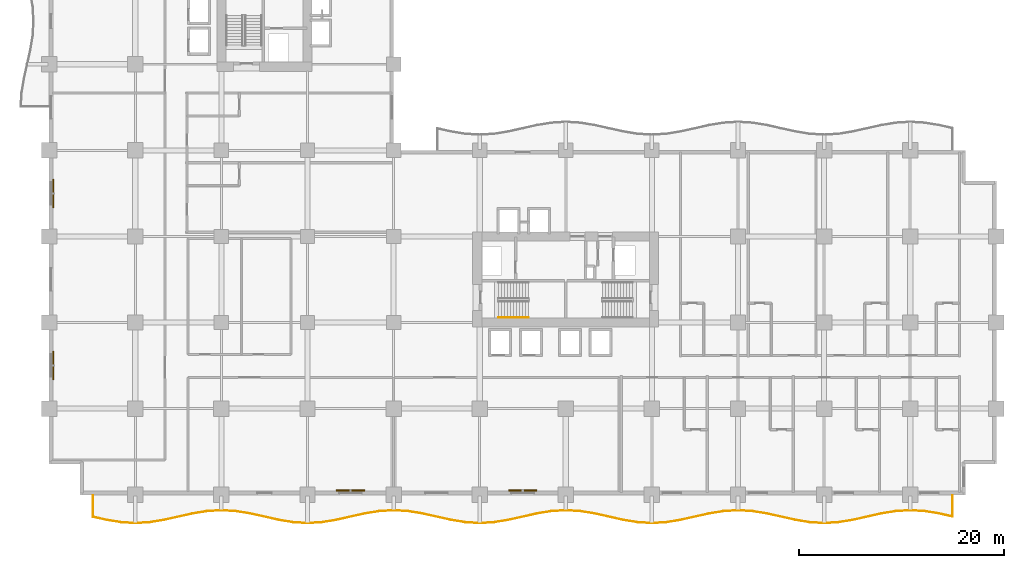
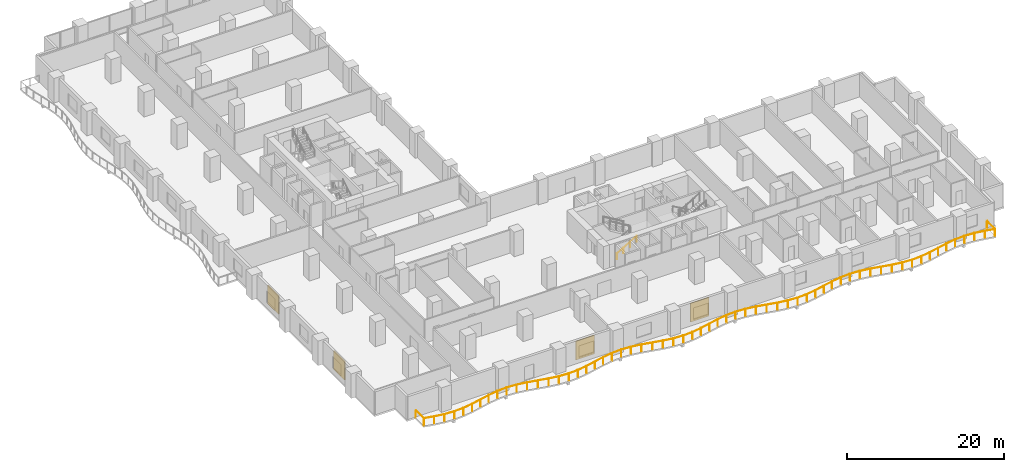
# One storey, part 18 of 21: 4 shading devices, 2 railings.
"""IFC4 building model written with IfcOpenShell, lengths in metres."""

from ifc_helpers import new_model, si_unit, direction, frame, origin, origin_2d, place, context, subcontext, project, spatial, rectangle, circle, extrude, material, layer, layer_set, type_object, element, save


model = new_model("IFC4")

# Units and contexts
model_context = context("Model", 3, precision=1e-05, world=origin(), true_north=direction((0.0, 1.0)))
body_context = subcontext(model_context, "Body", "Model", "MODEL_VIEW")
ifc_project = project(units=[si_unit("LENGTHUNIT", "METRE"), si_unit("AREAUNIT", "SQUARE_METRE"), si_unit("VOLUMEUNIT", "CUBIC_METRE"), si_unit("PLANEANGLEUNIT", "RADIAN"), si_unit("MASSUNIT", "GRAM", prefix="KILO")], contexts=[model_context])

# Site, building, storey
site_placement = place(None, origin())
site = spatial("IfcSite", under=ifc_project, at=site_placement, CompositionType="ELEMENT")
building_placement = place(site_placement, origin())
building = spatial("IfcBuilding", under=site, at=building_placement, Name="Koriwani Terraces Tower", CompositionType="ELEMENT")
storey_placement = place(building_placement, frame((0.0, 0.0, 77.60009765625)))
storey = spatial("IfcBuildingStorey", under=building, at=storey_placement, Name="L18", CompositionType="ELEMENT", Elevation=77.60009765625)

# Railings
ifc_material_1 = material(Name="Steel ASTM A572 Grade 50", Category="steel")
railing_type_1 = type_object("IfcRailingType", Name="GUARD_BALUSTRADE_1150", PredefinedType="BALUSTRADE", material=ifc_material_1)
railing_1_placement = place(storey_placement, frame((4.280029296875, -0.080078125, 0.0)))
element("IfcRailing", 1, at=railing_1_placement, inside=storey, type_object=railing_type_1, Name="L18 Balcony Perimeter Safety Balustrade (S)", PredefinedType="BALUSTRADE", context=body_context, shape_type="SweptSolid", body=[
    extrude(circle(Radius=0.02392578125, at=origin_2d()), frame((0.0, 0.0, 1.1259765625), z_axis=(0.0, -1.0, 0.0), x_axis=(1.0, 0.0, 0.0)), (0.0, 0.0, 1.0), 2.080810546875),
    extrude(circle(Radius=0.02392578125, at=origin_2d()), frame((0.0, -2.080810546875, 1.1259765625), z_axis=(0.97597243809, -0.217894011137, 0.0), x_axis=(0.217894011137, 0.97597243809, 0.0)), (0.0, 0.0, 1.0), 1.3681640625),
    extrude(circle(Radius=0.02392578125, at=origin_2d()), frame((1.335205078125, -2.37890625, 1.1259765625), z_axis=(0.986903124066, -0.16131405304, 0.0), x_axis=(0.16131405304, 0.986903124066, 0.0)), (0.0, 0.0, 1.0), 1.412109375),
    extrude(circle(Radius=0.02392578125, at=origin_2d()), frame((2.728759765625, -2.606689453125, 1.1259765625), z_axis=(0.998214050326, -0.059738678687, 0.0), x_axis=(0.059738678687, 0.998214050326, 0.0)), (0.0, 0.0, 1.0), 1.3935546875),
    extrude(circle(Radius=0.02392578125, at=origin_2d()), frame((4.119873046875, -2.68994140625, 1.1259765625), z_axis=(0.998214050326, 0.059738678687, 0.0), x_axis=(-0.059738678687, 0.998214050326, 0.0)), (0.0, 0.0, 1.0), 1.3935546875),
    extrude(circle(Radius=0.02392578125, at=origin_2d()), frame((5.510986328125, -2.606689453125, 1.1259765625), z_axis=(0.986907622111, 0.161286532042, 0.0), x_axis=(-0.161286532042, 0.986907622111, 0.0)), (0.0, 0.0, 1.0), 1.412353515625),
    extrude(circle(Radius=0.02392578125, at=origin_2d()), frame((6.90478515625, -2.37890625, 1.1259765625), z_axis=(0.975982393728, 0.217849413893, 0.0), x_axis=(-0.217849413893, 0.975982393728, 0.0)), (0.0, 0.0, 1.0), 2.868896484375),
    extrude(circle(Radius=0.02392578125, at=origin_2d()), frame((9.704833984375, -1.75390625, 1.1259765625), z_axis=(0.986916749742, 0.161230670401, 0.0), x_axis=(-0.161230670401, 0.986916749742, 0.0)), (0.0, 0.0, 1.0), 1.4248046875),
    extrude(circle(Radius=0.02392578125, at=origin_2d()), frame((11.111083984375, -1.524169921875, 1.1259765625), z_axis=(0.998217851573, 0.059675127152, 0.0), x_axis=(-0.059675127152, 0.998217851573, 0.0)), (0.0, 0.0, 1.0), 1.411376953125),
    extrude(circle(Radius=0.02392578125, at=origin_2d()), frame((12.52001953125, -1.43994140625, 1.1259765625), z_axis=(0.998217235442, -0.059685432622, 0.0), x_axis=(0.059685432622, 0.998217235442, 0.0)), (0.0, 0.0, 1.0), 1.4111328125),
    extrude(circle(Radius=0.02392578125, at=origin_2d()), frame((13.9287109375, -1.524169921875, 1.1259765625), z_axis=(0.986921202645, -0.161203411159, 0.0), x_axis=(0.161203411159, 0.986921202645, 0.0)), (0.0, 0.0, 1.0), 1.425048828125),
    extrude(circle(Radius=0.02392578125, at=origin_2d()), frame((15.335205078125, -1.75390625, 1.1259765625), z_axis=(0.975982393728, -0.217849413893, 0.0), x_axis=(0.217849413893, 0.975982393728, 0.0)), (0.0, 0.0, 1.0), 2.868896484375),
    extrude(circle(Radius=0.02392578125, at=origin_2d()), frame((18.13525390625, -2.37890625, 1.1259765625), z_axis=(0.986903124066, -0.16131405304, 0.0), x_axis=(0.16131405304, 0.986903124066, 0.0)), (0.0, 0.0, 1.0), 1.412109375),
    extrude(circle(Radius=0.02392578125, at=origin_2d()), frame((19.52880859375, -2.606689453125, 1.1259765625), z_axis=(0.998214050326, -0.059738678687, 0.0), x_axis=(0.059738678687, 0.998214050326, 0.0)), (0.0, 0.0, 1.0), 1.3935546875),
    extrude(circle(Radius=0.02392578125, at=origin_2d()), frame((20.919921875, -2.68994140625, 1.1259765625), z_axis=(0.998214050326, 0.059738678687, 0.0), x_axis=(-0.059738678687, 0.998214050326, 0.0)), (0.0, 0.0, 1.0), 1.3935546875),
    extrude(circle(Radius=0.02392578125, at=origin_2d()), frame((22.31103515625, -2.606689453125, 1.1259765625), z_axis=(0.986907622111, 0.161286532042, 0.0), x_axis=(-0.161286532042, 0.986907622111, 0.0)), (0.0, 0.0, 1.0), 1.412353515625),
    extrude(circle(Radius=0.02392578125, at=origin_2d()), frame((23.704833984375, -2.37890625, 1.1259765625), z_axis=(0.975982393728, 0.217849413893, 0.0), x_axis=(-0.217849413893, 0.975982393728, 0.0)), (0.0, 0.0, 1.0), 2.868896484375),
    extrude(circle(Radius=0.02392578125, at=origin_2d()), frame((26.5048828125, -1.75390625, 1.1259765625), z_axis=(0.986916749742, 0.161230670401, 0.0), x_axis=(-0.161230670401, 0.986916749742, 0.0)), (0.0, 0.0, 1.0), 1.4248046875),
    extrude(circle(Radius=0.02392578125, at=origin_2d()), frame((27.9111328125, -1.524169921875, 1.1259765625), z_axis=(0.998217851573, 0.059675127152, 0.0), x_axis=(-0.059675127152, 0.998217851573, 0.0)), (0.0, 0.0, 1.0), 1.411376953125),
    extrude(circle(Radius=0.02392578125, at=origin_2d()), frame((29.320068359375, -1.43994140625, 1.1259765625), z_axis=(0.998217235442, -0.059685432622, 0.0), x_axis=(0.059685432622, 0.998217235442, 0.0)), (0.0, 0.0, 1.0), 1.4111328125),
    extrude(circle(Radius=0.02392578125, at=origin_2d()), frame((30.728759765625, -1.524169921875, 1.1259765625), z_axis=(0.986921202645, -0.161203411159, 0.0), x_axis=(0.161203411159, 0.986921202645, 0.0)), (0.0, 0.0, 1.0), 1.425048828125),
    extrude(circle(Radius=0.02392578125, at=origin_2d()), frame((32.13525390625, -1.75390625, 1.1259765625), z_axis=(0.97597835464, -0.217867508535, 0.0), x_axis=(0.217867508535, 0.97597835464, 0.0)), (0.0, 0.0, 1.0), 2.86865234375),
    extrude(circle(Radius=0.02392578125, at=origin_2d()), frame((34.93505859375, -2.37890625, 1.1259765625), z_axis=(0.986907622111, -0.161286532042, 0.0), x_axis=(0.161286532042, 0.986907622111, 0.0)), (0.0, 0.0, 1.0), 1.412353515625),
    extrude(circle(Radius=0.02392578125, at=origin_2d()), frame((36.328857421875, -2.606689453125, 1.1259765625), z_axis=(0.998214050326, -0.059738678687, 0.0), x_axis=(0.059738678687, 0.998214050326, 0.0)), (0.0, 0.0, 1.0), 1.3935546875),
    extrude(circle(Radius=0.02392578125, at=origin_2d()), frame((37.719970703125, -2.68994140625, 1.1259765625), z_axis=(0.998214050326, 0.059738678687, 0.0), x_axis=(-0.059738678687, 0.998214050326, 0.0)), (0.0, 0.0, 1.0), 1.3935546875),
    extrude(circle(Radius=0.02392578125, at=origin_2d()), frame((39.111083984375, -2.606689453125, 1.1259765625), z_axis=(0.986907622111, 0.161286532042, 0.0), x_axis=(-0.161286532042, 0.986907622111, 0.0)), (0.0, 0.0, 1.0), 1.412353515625),
    extrude(circle(Radius=0.02392578125, at=origin_2d()), frame((40.5048828125, -2.37890625, 1.1259765625), z_axis=(0.97597835464, 0.217867508535, 0.0), x_axis=(-0.217867508535, 0.97597835464, 0.0)), (0.0, 0.0, 1.0), 2.86865234375),
    extrude(circle(Radius=0.02392578125, at=origin_2d()), frame((43.3046875, -1.75390625, 1.1259765625), z_axis=(0.986921202645, 0.161203411159, 0.0), x_axis=(-0.161203411159, 0.986921202645, 0.0)), (0.0, 0.0, 1.0), 1.425048828125),
    extrude(circle(Radius=0.02392578125, at=origin_2d()), frame((44.711181640625, -1.524169921875, 1.1259765625), z_axis=(0.998217235442, 0.059685432622, 0.0), x_axis=(-0.059685432622, 0.998217235442, 0.0)), (0.0, 0.0, 1.0), 1.4111328125),
    extrude(circle(Radius=0.02392578125, at=origin_2d()), frame((46.119873046875, -1.43994140625, 1.1259765625), z_axis=(0.998217851573, -0.059675127152, 0.0), x_axis=(0.059675127152, 0.998217851573, 0.0)), (0.0, 0.0, 1.0), 1.411376953125),
    extrude(circle(Radius=0.02392578125, at=origin_2d()), frame((47.52880859375, -1.524169921875, 1.1259765625), z_axis=(0.986916749742, -0.161230670401, 0.0), x_axis=(0.161230670401, 0.986916749742, 0.0)), (0.0, 0.0, 1.0), 1.4248046875),
    extrude(circle(Radius=0.02392578125, at=origin_2d()), frame((48.93505859375, -1.75390625, 1.1259765625), z_axis=(0.975982393728, -0.217849413893, 0.0), x_axis=(0.217849413893, 0.975982393728, 0.0)), (0.0, 0.0, 1.0), 2.868896484375),
    extrude(circle(Radius=0.02392578125, at=origin_2d()), frame((51.735107421875, -2.37890625, 1.1259765625), z_axis=(0.986907622111, -0.161286532042, 0.0), x_axis=(0.161286532042, 0.986907622111, 0.0)), (0.0, 0.0, 1.0), 1.412353515625),
    extrude(circle(Radius=0.02392578125, at=origin_2d()), frame((53.12890625, -2.606689453125, 1.1259765625), z_axis=(0.998214050326, -0.059738678687, 0.0), x_axis=(0.059738678687, 0.998214050326, 0.0)), (0.0, 0.0, 1.0), 1.3935546875),
    extrude(circle(Radius=0.02392578125, at=origin_2d()), frame((54.52001953125, -2.68994140625, 1.1259765625), z_axis=(0.998214050326, 0.059738678687, 0.0), x_axis=(-0.059738678687, 0.998214050326, 0.0)), (0.0, 0.0, 1.0), 1.3935546875),
    extrude(circle(Radius=0.02392578125, at=origin_2d()), frame((55.9111328125, -2.606689453125, 1.1259765625), z_axis=(0.986903124066, 0.16131405304, 0.0), x_axis=(-0.16131405304, 0.986903124066, 0.0)), (0.0, 0.0, 1.0), 1.412109375),
    extrude(circle(Radius=0.02392578125, at=origin_2d()), frame((57.3046875, -2.37890625, 1.1259765625), z_axis=(0.975982393728, 0.217849413893, 0.0), x_axis=(-0.217849413893, 0.975982393728, 0.0)), (0.0, 0.0, 1.0), 2.868896484375),
    extrude(circle(Radius=0.02392578125, at=origin_2d()), frame((60.104736328125, -1.75390625, 1.1259765625), z_axis=(0.986921202645, 0.161203411159, 0.0), x_axis=(-0.161203411159, 0.986921202645, 0.0)), (0.0, 0.0, 1.0), 1.425048828125),
    extrude(circle(Radius=0.02392578125, at=origin_2d()), frame((61.51123046875, -1.524169921875, 1.1259765625), z_axis=(0.998217235442, 0.059685432622, 0.0), x_axis=(-0.059685432622, 0.998217235442, 0.0)), (0.0, 0.0, 1.0), 1.4111328125),
    extrude(circle(Radius=0.02392578125, at=origin_2d()), frame((62.919921875, -1.43994140625, 1.1259765625), z_axis=(0.998217851573, -0.059675127152, 0.0), x_axis=(0.059675127152, 0.998217851573, 0.0)), (0.0, 0.0, 1.0), 1.411376953125),
    extrude(circle(Radius=0.02392578125, at=origin_2d()), frame((64.328857421875, -1.524169921875, 1.1259765625), z_axis=(0.986916749742, -0.161230670401, 0.0), x_axis=(0.161230670401, 0.986916749742, 0.0)), (0.0, 0.0, 1.0), 1.4248046875),
    extrude(circle(Radius=0.02392578125, at=origin_2d()), frame((65.735107421875, -1.75390625, 1.1259765625), z_axis=(0.975982393728, -0.217849413893, 0.0), x_axis=(0.217849413893, 0.975982393728, 0.0)), (0.0, 0.0, 1.0), 2.868896484375),
    extrude(circle(Radius=0.02392578125, at=origin_2d()), frame((68.53515625, -2.37890625, 1.1259765625), z_axis=(0.986907622111, -0.161286532042, 0.0), x_axis=(0.161286532042, 0.986907622111, 0.0)), (0.0, 0.0, 1.0), 1.412353515625),
    extrude(circle(Radius=0.02392578125, at=origin_2d()), frame((69.928955078125, -2.606689453125, 1.1259765625), z_axis=(0.998214050326, -0.059738678687, 0.0), x_axis=(0.059738678687, 0.998214050326, 0.0)), (0.0, 0.0, 1.0), 1.3935546875),
    extrude(circle(Radius=0.02392578125, at=origin_2d()), frame((71.320068359375, -2.68994140625, 1.1259765625), z_axis=(0.998214050326, 0.059738678687, 0.0), x_axis=(-0.059738678687, 0.998214050326, 0.0)), (0.0, 0.0, 1.0), 1.3935546875),
    extrude(circle(Radius=0.02392578125, at=origin_2d()), frame((72.711181640625, -2.606689453125, 1.1259765625), z_axis=(0.986903124066, 0.16131405304, 0.0), x_axis=(-0.16131405304, 0.986903124066, 0.0)), (0.0, 0.0, 1.0), 1.412109375),
    extrude(circle(Radius=0.02392578125, at=origin_2d()), frame((74.104736328125, -2.37890625, 1.1259765625), z_axis=(0.975982393728, 0.217849413893, 0.0), x_axis=(-0.217849413893, 0.975982393728, 0.0)), (0.0, 0.0, 1.0), 2.868896484375),
    extrude(circle(Radius=0.02392578125, at=origin_2d()), frame((76.90478515625, -1.75390625, 1.1259765625), z_axis=(0.986921202645, 0.161203411159, 0.0), x_axis=(-0.161203411159, 0.986921202645, 0.0)), (0.0, 0.0, 1.0), 1.425048828125),
    extrude(circle(Radius=0.02392578125, at=origin_2d()), frame((78.311279296875, -1.524169921875, 1.1259765625), z_axis=(0.998217235442, 0.059685432622, 0.0), x_axis=(-0.059685432622, 0.998217235442, 0.0)), (0.0, 0.0, 1.0), 1.4111328125),
    extrude(circle(Radius=0.02392578125, at=origin_2d()), frame((79.719970703125, -1.43994140625, 1.1259765625), z_axis=(0.998217235442, -0.059685432622, 0.0), x_axis=(0.059685432622, 0.998217235442, 0.0)), (0.0, 0.0, 1.0), 1.4111328125),
    extrude(circle(Radius=0.02392578125, at=origin_2d()), frame((81.128662109375, -1.524169921875, 1.1259765625), z_axis=(0.986921202645, -0.161203411159, 0.0), x_axis=(0.161203411159, 0.986921202645, 0.0)), (0.0, 0.0, 1.0), 1.425048828125),
    extrude(circle(Radius=0.02392578125, at=origin_2d()), frame((82.53515625, -1.75390625, 1.1259765625), z_axis=(0.975984705678, -0.217839055917, 0.0), x_axis=(0.217839055917, 0.975984705678, 0.0)), (0.0, 0.0, 1.0), 1.337158203125),
    extrude(circle(Radius=0.02392578125, at=origin_2d()), frame((83.840087890625, -2.045166015625, 1.1259765625), z_axis=(0.0, 1.0, 0.0), x_axis=(-1.0, 0.0, 0.0)), (0.0, 0.0, 1.0), 2.045166015625),
    extrude(circle(Radius=0.02099609375, at=origin_2d()), origin(), (0.0, 0.0, 1.0), 1.101806640625),
    extrude(circle(Radius=0.02099609375, at=origin_2d()), frame((0.0, -2.080810546875, 0.0)), (0.0, 0.0, 1.0), 1.101806640625),
    extrude(circle(Radius=0.02099609375, at=origin_2d()), frame((1.335205078125, -2.37890625, 0.0)), (0.0, 0.0, 1.0), 1.101806640625),
    extrude(circle(Radius=0.02099609375, at=origin_2d()), frame((2.728759765625, -2.606689453125, 0.0)), (0.0, 0.0, 1.0), 1.101806640625),
    extrude(circle(Radius=0.02099609375, at=origin_2d()), frame((4.119873046875, -2.68994140625, 0.0)), (0.0, 0.0, 1.0), 1.101806640625),
    extrude(circle(Radius=0.02099609375, at=origin_2d()), frame((5.510986328125, -2.606689453125, 0.0)), (0.0, 0.0, 1.0), 1.101806640625),
    extrude(circle(Radius=0.02099609375, at=origin_2d()), frame((6.90478515625, -2.37890625, 0.0)), (0.0, 0.0, 1.0), 1.101806640625),
    extrude(circle(Radius=0.02099609375, at=origin_2d()), frame((8.3046875, -2.06640625, 0.0)), (0.0, 0.0, 1.0), 1.101806640625),
    extrude(circle(Radius=0.02099609375, at=origin_2d()), frame((9.704833984375, -1.75390625, 0.0)), (0.0, 0.0, 1.0), 1.101806640625),
    extrude(circle(Radius=0.02099609375, at=origin_2d()), frame((11.111083984375, -1.524169921875, 0.0)), (0.0, 0.0, 1.0), 1.101806640625),
    extrude(circle(Radius=0.02099609375, at=origin_2d()), frame((12.52001953125, -1.43994140625, 0.0)), (0.0, 0.0, 1.0), 1.101806640625),
    extrude(circle(Radius=0.02099609375, at=origin_2d()), frame((13.9287109375, -1.524169921875, 0.0)), (0.0, 0.0, 1.0), 1.101806640625),
    extrude(circle(Radius=0.02099609375, at=origin_2d()), frame((15.335205078125, -1.75390625, 0.0)), (0.0, 0.0, 1.0), 1.101806640625),
    extrude(circle(Radius=0.02099609375, at=origin_2d()), frame((16.7353515625, -2.06640625, 0.0)), (0.0, 0.0, 1.0), 1.101806640625),
    extrude(circle(Radius=0.02099609375, at=origin_2d()), frame((18.13525390625, -2.37890625, 0.0)), (0.0, 0.0, 1.0), 1.101806640625),
    extrude(circle(Radius=0.02099609375, at=origin_2d()), frame((19.52880859375, -2.606689453125, 0.0)), (0.0, 0.0, 1.0), 1.101806640625),
    extrude(circle(Radius=0.02099609375, at=origin_2d()), frame((20.919921875, -2.68994140625, 0.0)), (0.0, 0.0, 1.0), 1.101806640625),
    extrude(circle(Radius=0.02099609375, at=origin_2d()), frame((22.31103515625, -2.606689453125, 0.0)), (0.0, 0.0, 1.0), 1.101806640625),
    extrude(circle(Radius=0.02099609375, at=origin_2d()), frame((23.704833984375, -2.37890625, 0.0)), (0.0, 0.0, 1.0), 1.101806640625),
    extrude(circle(Radius=0.02099609375, at=origin_2d()), frame((25.10498046875, -2.06640625, 0.0)), (0.0, 0.0, 1.0), 1.101806640625),
    extrude(circle(Radius=0.02099609375, at=origin_2d()), frame((26.5048828125, -1.75390625, 0.0)), (0.0, 0.0, 1.0), 1.101806640625),
    extrude(circle(Radius=0.02099609375, at=origin_2d()), frame((27.9111328125, -1.524169921875, 0.0)), (0.0, 0.0, 1.0), 1.101806640625),
    extrude(circle(Radius=0.02099609375, at=origin_2d()), frame((29.320068359375, -1.43994140625, 0.0)), (0.0, 0.0, 1.0), 1.101806640625),
    extrude(circle(Radius=0.02099609375, at=origin_2d()), frame((30.728759765625, -1.524169921875, 0.0)), (0.0, 0.0, 1.0), 1.101806640625),
    extrude(circle(Radius=0.02099609375, at=origin_2d()), frame((32.13525390625, -1.75390625, 0.0)), (0.0, 0.0, 1.0), 1.101806640625),
    extrude(circle(Radius=0.02099609375, at=origin_2d()), frame((33.53515625, -2.06640625, 0.0)), (0.0, 0.0, 1.0), 1.101806640625),
    extrude(circle(Radius=0.02099609375, at=origin_2d()), frame((34.93505859375, -2.37890625, 0.0)), (0.0, 0.0, 1.0), 1.101806640625),
    extrude(circle(Radius=0.02099609375, at=origin_2d()), frame((36.328857421875, -2.606689453125, 0.0)), (0.0, 0.0, 1.0), 1.101806640625),
    extrude(circle(Radius=0.02099609375, at=origin_2d()), frame((37.719970703125, -2.68994140625, 0.0)), (0.0, 0.0, 1.0), 1.101806640625),
    extrude(circle(Radius=0.02099609375, at=origin_2d()), frame((39.111083984375, -2.606689453125, 0.0)), (0.0, 0.0, 1.0), 1.101806640625),
    extrude(circle(Radius=0.02099609375, at=origin_2d()), frame((40.5048828125, -2.37890625, 0.0)), (0.0, 0.0, 1.0), 1.101806640625),
    extrude(circle(Radius=0.02099609375, at=origin_2d()), frame((41.90478515625, -2.06640625, 0.0)), (0.0, 0.0, 1.0), 1.101806640625),
    extrude(circle(Radius=0.02099609375, at=origin_2d()), frame((43.3046875, -1.75390625, 0.0)), (0.0, 0.0, 1.0), 1.101806640625),
    extrude(circle(Radius=0.02099609375, at=origin_2d()), frame((44.711181640625, -1.524169921875, 0.0)), (0.0, 0.0, 1.0), 1.101806640625),
    extrude(circle(Radius=0.02099609375, at=origin_2d()), frame((46.119873046875, -1.43994140625, 0.0)), (0.0, 0.0, 1.0), 1.101806640625),
    extrude(circle(Radius=0.02099609375, at=origin_2d()), frame((47.52880859375, -1.524169921875, 0.0)), (0.0, 0.0, 1.0), 1.101806640625),
    extrude(circle(Radius=0.02099609375, at=origin_2d()), frame((48.93505859375, -1.75390625, 0.0)), (0.0, 0.0, 1.0), 1.101806640625),
    extrude(circle(Radius=0.02099609375, at=origin_2d()), frame((50.3349609375, -2.06640625, 0.0)), (0.0, 0.0, 1.0), 1.101806640625),
    extrude(circle(Radius=0.02099609375, at=origin_2d()), frame((51.735107421875, -2.37890625, 0.0)), (0.0, 0.0, 1.0), 1.101806640625),
    extrude(circle(Radius=0.02099609375, at=origin_2d()), frame((53.12890625, -2.606689453125, 0.0)), (0.0, 0.0, 1.0), 1.101806640625),
    extrude(circle(Radius=0.02099609375, at=origin_2d()), frame((54.52001953125, -2.68994140625, 0.0)), (0.0, 0.0, 1.0), 1.101806640625),
    extrude(circle(Radius=0.02099609375, at=origin_2d()), frame((55.9111328125, -2.606689453125, 0.0)), (0.0, 0.0, 1.0), 1.101806640625),
    extrude(circle(Radius=0.02099609375, at=origin_2d()), frame((57.3046875, -2.37890625, 0.0)), (0.0, 0.0, 1.0), 1.101806640625),
    extrude(circle(Radius=0.02099609375, at=origin_2d()), frame((58.70458984375, -2.06640625, 0.0)), (0.0, 0.0, 1.0), 1.101806640625),
    extrude(circle(Radius=0.02099609375, at=origin_2d()), frame((60.104736328125, -1.75390625, 0.0)), (0.0, 0.0, 1.0), 1.101806640625),
    extrude(circle(Radius=0.02099609375, at=origin_2d()), frame((61.51123046875, -1.524169921875, 0.0)), (0.0, 0.0, 1.0), 1.101806640625),
    extrude(circle(Radius=0.02099609375, at=origin_2d()), frame((62.919921875, -1.43994140625, 0.0)), (0.0, 0.0, 1.0), 1.101806640625),
    extrude(circle(Radius=0.02099609375, at=origin_2d()), frame((64.328857421875, -1.524169921875, 0.0)), (0.0, 0.0, 1.0), 1.101806640625),
    extrude(circle(Radius=0.02099609375, at=origin_2d()), frame((65.735107421875, -1.75390625, 0.0)), (0.0, 0.0, 1.0), 1.101806640625),
    extrude(circle(Radius=0.02099609375, at=origin_2d()), frame((67.13525390625, -2.06640625, 0.0)), (0.0, 0.0, 1.0), 1.101806640625),
    extrude(circle(Radius=0.02099609375, at=origin_2d()), frame((68.53515625, -2.37890625, 0.0)), (0.0, 0.0, 1.0), 1.101806640625),
    extrude(circle(Radius=0.02099609375, at=origin_2d()), frame((69.928955078125, -2.606689453125, 0.0)), (0.0, 0.0, 1.0), 1.101806640625),
    extrude(circle(Radius=0.02099609375, at=origin_2d()), frame((71.320068359375, -2.68994140625, 0.0)), (0.0, 0.0, 1.0), 1.101806640625),
    extrude(circle(Radius=0.02099609375, at=origin_2d()), frame((72.711181640625, -2.606689453125, 0.0)), (0.0, 0.0, 1.0), 1.101806640625),
    extrude(circle(Radius=0.02099609375, at=origin_2d()), frame((74.104736328125, -2.37890625, 0.0)), (0.0, 0.0, 1.0), 1.101806640625),
    extrude(circle(Radius=0.02099609375, at=origin_2d()), frame((75.5048828125, -2.06640625, 0.0)), (0.0, 0.0, 1.0), 1.101806640625),
    extrude(circle(Radius=0.02099609375, at=origin_2d()), frame((76.90478515625, -1.75390625, 0.0)), (0.0, 0.0, 1.0), 1.101806640625),
    extrude(circle(Radius=0.02099609375, at=origin_2d()), frame((78.311279296875, -1.524169921875, 0.0)), (0.0, 0.0, 1.0), 1.101806640625),
    extrude(circle(Radius=0.02099609375, at=origin_2d()), frame((79.719970703125, -1.43994140625, 0.0)), (0.0, 0.0, 1.0), 1.101806640625),
    extrude(circle(Radius=0.02099609375, at=origin_2d()), frame((81.128662109375, -1.524169921875, 0.0)), (0.0, 0.0, 1.0), 1.101806640625),
    extrude(circle(Radius=0.02099609375, at=origin_2d()), frame((82.53515625, -1.75390625, 0.0)), (0.0, 0.0, 1.0), 1.101806640625),
    extrude(circle(Radius=0.02099609375, at=origin_2d()), frame((83.840087890625, -2.045166015625, 0.0)), (0.0, 0.0, 1.0), 1.101806640625),
    extrude(circle(Radius=0.02099609375, at=origin_2d()), frame((83.840087890625, 0.0, 0.0)), (0.0, 0.0, 1.0), 1.101806640625),
])
railing_type_2 = type_object("IfcRailingType", Name="HANDRAIL_STAIR_920", PredefinedType="HANDRAIL", material=ifc_material_1)
railing_2_placement = place(storey_placement, frame((43.85009765625, 17.300048828125, 0.172607421875)))
element("IfcRailing", 2, at=railing_2_placement, inside=storey, type_object=railing_type_2, Name="L18 ST-E1 stair handrail 1", PredefinedType="HANDRAIL", context=body_context, shape_type="SweptSolid", body=[
    extrude(circle(Radius=0.02392578125, at=origin_2d()), frame((0.0, 0.0, 0.8759765625), z_axis=(0.859141464434, 0.0, 0.511738159696), x_axis=(0.0, 1.0, 0.0)), (0.0, 0.0, 1.0), 3.375244140625),
    extrude(circle(Radius=0.02099609375, at=origin_2d()), origin(), (0.0, 0.0, 1.0), 0.851806640625),
    extrude(circle(Radius=0.02099609375, at=origin_2d()), frame((0.966552734375, 0.0, 0.57568359375)), (0.0, 0.0, 1.0), 0.851806640625),
    extrude(circle(Radius=0.02099609375, at=origin_2d()), frame((1.933349609375, 0.0, 1.151611328125)), (0.0, 0.0, 1.0), 0.851806640625),
    extrude(circle(Radius=0.02099609375, at=origin_2d()), frame((2.89990234375, 0.0, 1.727294921875)), (0.0, 0.0, 1.0), 0.851806640625),
])

# Shading devices
ifc_material_2 = material(Name="Extruded Terracotta Clay", Category="masonry")
ifc_layer = layer(ifc_material_2, 0.1201171875, Name="Extruded Terracotta Clay")
ifc_layer_set = layer_set([ifc_layer], Name="Extruded Terracotta Clay")
shading_device_type = type_object("IfcShadingDeviceType", Name="TERRACOTTA_BAGUETTE_SCREEN_2800", PredefinedType="USERDEFINED", material=ifc_layer_set)
for number, where, z_axis, x_axis, name in (
    (3, (0.405029296875, 12.60009765625, 0.324951171875), (0.0, 0.0, 1.0), (0.0, 1.0, 0.0), "L18 Extruded Terracotta Baguette Screen (W-3)"),
    (4, (0.405029296875, 29.39990234375, 0.324951171875), (0.0, 0.0, 1.0), (0.0, 1.0, 0.0), "L18 Extruded Terracotta Baguette Screen (W-9)"),
    (5, (29.39990234375, 0.405029296875, 0.324951171875), (0.0, 0.0, 1.0), (-1.0, 0.0, 0.0), "L18 Extruded Terracotta Baguette Screen (S-9)"),
    (6, (46.199951171875, 0.405029296875, 0.324951171875), (0.0, 0.0, 1.0), (-1.0, 0.0, 0.0), "L18 Extruded Terracotta Baguette Screen (S-15)"),
):
    element("IfcShadingDevice", number, at=place(storey_placement, frame(where, z_axis=z_axis, x_axis=x_axis)), inside=storey, type_object=shading_device_type, Name=name, ObjectType="BAGUETTE", PredefinedType="USERDEFINED", context=body_context, shape_type="SweptSolid", body=[
        extrude(rectangle(XDim=2.760009765625, YDim=0.1201171875, at=origin_2d()), origin(), (0.0, 0.0, 1.0), 2.89990234375),
    ])

save(model, "model.ifc")
